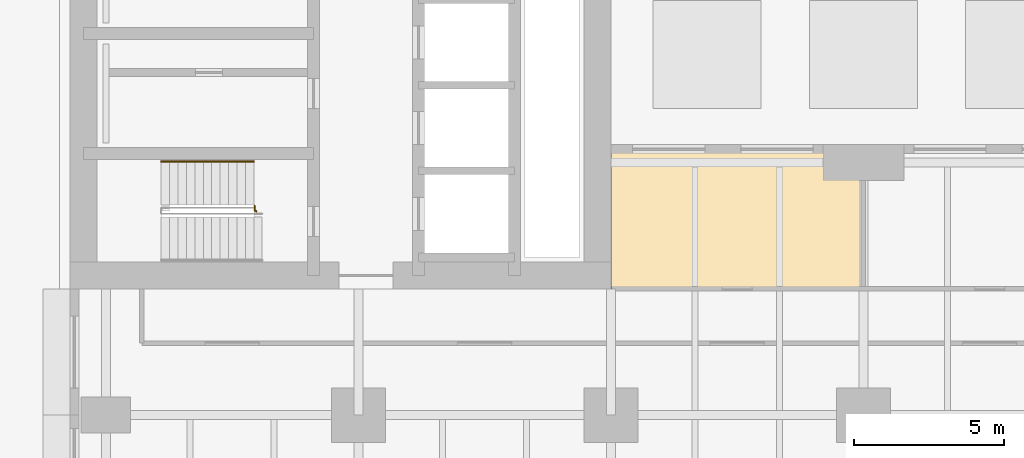
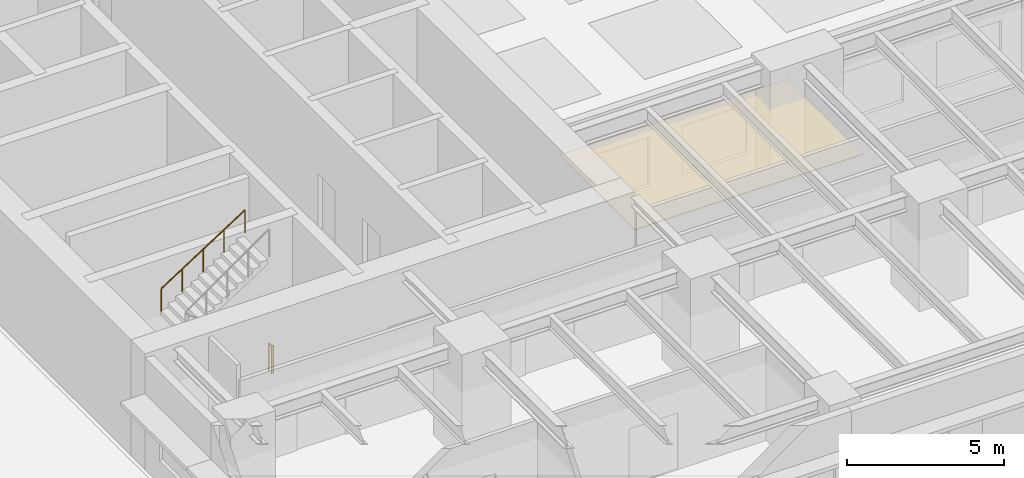
# One storey, part 12 of 17: 2 railings, 1 covering.
"""IFC4 building model written with IfcOpenShell, lengths in metres."""

from ifc_helpers import new_model, si_unit, direction, frame, origin, origin_2d, place, context, subcontext, project, spatial, polyline, circle, outline, extrude, material, layer, layer_set, type_object, element, save


model = new_model("IFC4")

# Units and contexts
model_context = context("Model", 3, precision=1e-05, world=origin(), true_north=direction((0.0, 1.0)))
body_context = subcontext(model_context, "Body", "Model", "MODEL_VIEW")
ifc_project = project(units=[si_unit("LENGTHUNIT", "METRE"), si_unit("AREAUNIT", "SQUARE_METRE"), si_unit("VOLUMEUNIT", "CUBIC_METRE"), si_unit("PLANEANGLEUNIT", "RADIAN"), si_unit("MASSUNIT", "GRAM", prefix="KILO")], contexts=[model_context])

# Site, building, storey
site_placement = place(None, origin())
site = spatial("IfcSite", under=ifc_project, at=site_placement, CompositionType="ELEMENT")
building_placement = place(site_placement, origin())
building = spatial("IfcBuilding", under=site, at=building_placement, Name="Claustro Exchange Tower", CompositionType="ELEMENT")
storey_placement = place(building_placement, frame((0.0, 0.0, 18.89990234375)))
storey = spatial("IfcBuildingStorey", under=building, at=storey_placement, Name="L04", CompositionType="ELEMENT", Elevation=18.89990234375)

# Covering
ifc_material_1 = material(Name="Gypsum board ceiling", Category="gypsum board")
ifc_layer = layer(ifc_material_1, 0.02490234375)
ifc_layer_set = layer_set([ifc_layer], Name="Gypsum board ceiling")
covering_type = type_object("IfcCoveringType", Name="CL2 plasterboard ceiling", PredefinedType="CEILING", material=ifc_layer_set)
covering_placement = place(storey_placement, frame((0.0, 0.0, 3.0)))
element("IfcCovering", 1, at=covering_placement, inside=storey, type_object=covering_type, Name="Ceiling CL2 L04-09", PredefinedType="CEILING", context=body_context, shape_type="SweptSolid", body=[
    extrude(outline(polyline([(16.800048828125, 17.39990234375), (16.800048828125, 12.60009765625), (25.199951171875, 12.60009765625), (25.199951171875, 17.39990234375), (16.800048828125, 17.39990234375)])), origin(), (0.0, 0.0, 1.0), 0.025146484375),
])

# Railings
ifc_material_2 = material(Name="Steel balustrade, painted", Category="steel")
railing_type_1 = type_object("IfcRailingType", Name="GR2 1100 steel stair guard", PredefinedType="GUARDRAIL", material=ifc_material_2)
railing_1_placement = place(storey_placement, frame((5.0, 15.169921875, 0.0)))
element("IfcRailing", 2, at=railing_1_placement, inside=storey, type_object=railing_type_1, Name="Stair guard GR2 STWA L04", PredefinedType="GUARDRAIL", context=body_context, shape_type="SweptSolid", body=[
    extrude(circle(Radius=0.02392578125, at=origin_2d()), frame((0.0, 0.0, 1.076171875), z_axis=(0.0, 1.0, 0.0), x_axis=(-1.0, 0.0, 0.0)), (0.0, 0.0, 1.0), 0.030029296875),
    extrude(circle(Radius=0.02392578125, at=origin_2d()), frame((0.0, 0.030029296875, 1.076171875), z_axis=(-1.0, 0.0, 0.0), x_axis=(0.0, -1.0, 0.0)), (0.0, 0.0, 1.0), 0.054931640625),
    extrude(circle(Radius=0.02392578125, at=origin_2d()), frame((-0.054931640625, 0.030029296875, 1.076171875), z_axis=(0.0, 1.0, 0.0), x_axis=(-1.0, 0.0, 0.0)), (0.0, 0.0, 1.0), 0.179931640625),
    extrude(circle(Radius=0.02099609375, at=origin_2d()), origin(), (0.0, 0.0, 1.0), 1.052001953125),
    extrude(circle(Radius=0.02099609375, at=origin_2d()), frame((0.0, 0.030029296875, 0.0)), (0.0, 0.0, 1.0), 1.052001953125),
    extrude(circle(Radius=0.02099609375, at=origin_2d()), frame((-0.054931640625, 0.030029296875, 0.0)), (0.0, 0.0, 1.0), 1.052001953125),
    extrude(circle(Radius=0.02099609375, at=origin_2d()), frame((-0.054931640625, 0.2099609375, 0.0)), (0.0, 0.0, 1.0), 1.052001953125),
])
ifc_material_3 = material(Name="Stainless steel tube", Category="steel")
railing_type_2 = type_object("IfcRailingType", Name="HR1 900 stair handrail", PredefinedType="HANDRAIL", material=ifc_material_3)
railing_2_placement = place(storey_placement, frame((1.840087890625, 16.840087890625, 2.52001953125)))
element("IfcRailing", 3, at=railing_2_placement, inside=storey, type_object=railing_type_2, Name="Handrail HR1 stair STWA L04", PredefinedType="HANDRAIL", context=body_context, shape_type="SweptSolid", body=[
    extrude(circle(Radius=0.02392578125, at=origin_2d()), frame((0.0, 0.0, 0.8759765625), z_axis=(0.841167642724, 0.0, 0.540774441735), x_axis=(0.0, 1.0, 0.0)), (0.0, 0.0, 1.0), 3.661376953125),
    extrude(circle(Radius=0.02099609375, at=origin_2d()), origin(), (0.0, 0.0, 1.0), 0.851806640625),
    extrude(circle(Radius=0.02099609375, at=origin_2d()), frame((0.77001953125, 0.0, 0.4951171875)), (0.0, 0.0, 1.0), 0.851806640625),
    extrude(circle(Radius=0.02099609375, at=origin_2d()), frame((1.5400390625, 0.0, 0.989990234375)), (0.0, 0.0, 1.0), 0.851806640625),
    extrude(circle(Radius=0.02099609375, at=origin_2d()), frame((2.309814453125, 0.0, 1.48486328125)), (0.0, 0.0, 1.0), 0.851806640625),
    extrude(circle(Radius=0.02099609375, at=origin_2d()), frame((3.079833984375, 0.0, 1.97998046875)), (0.0, 0.0, 1.0), 0.851806640625),
])

save(model, "model.ifc")
